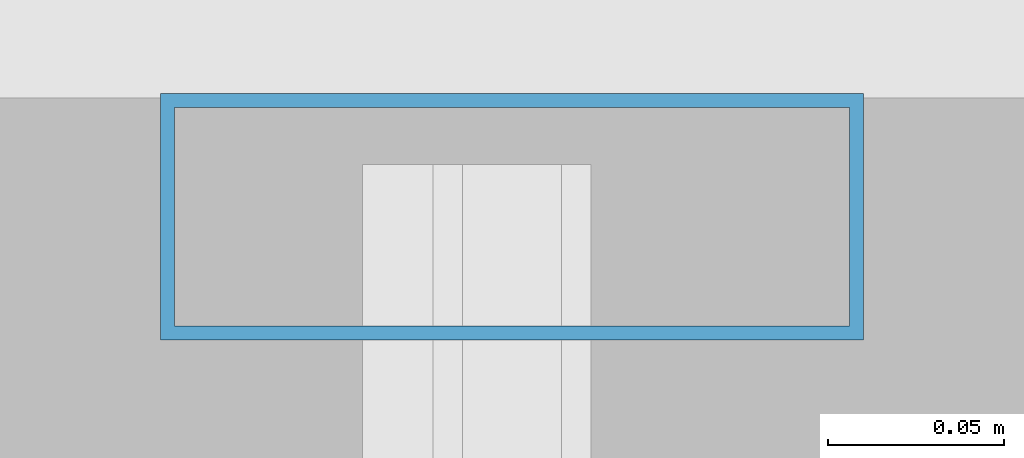
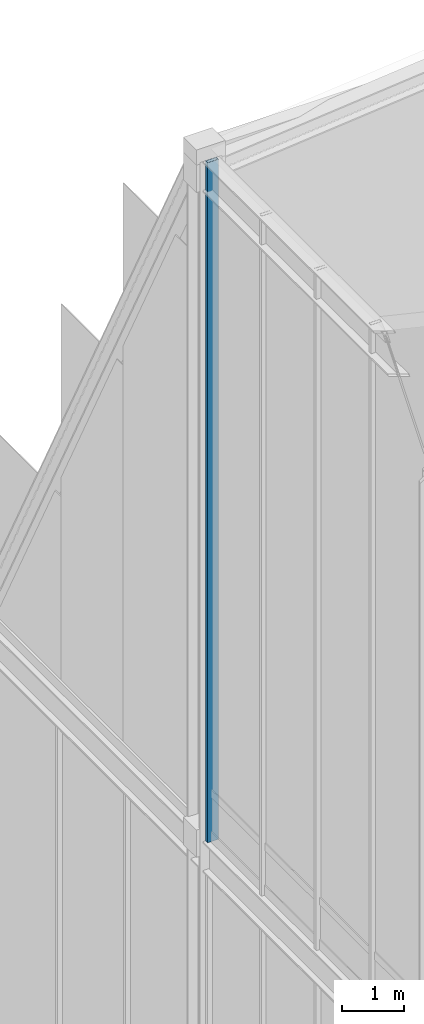
# One storey, part 20 of 49: 1 member, 1 element without a shape of its own.
"""IFC4 building model written with IfcOpenShell, lengths in metres."""

from ifc_helpers import new_model, si_unit, direction, frame, origin, origin_2d, place, context, subcontext, project, spatial, hollow_rectangle, extrude, source, transform, mapped, material, layer, layer_set, material_profile, profile_set, type_object, element, aggregate, save


model = new_model("IFC4")

# Units and contexts
model_context = context("Model", 3, precision=1e-05, world=origin(), true_north=direction((0.0, 1.0)))
body_context = subcontext(model_context, "Body", "Model", "MODEL_VIEW")
ifc_project = project(units=[si_unit("LENGTHUNIT", "METRE"), si_unit("AREAUNIT", "SQUARE_METRE"), si_unit("VOLUMEUNIT", "CUBIC_METRE"), si_unit("PLANEANGLEUNIT", "RADIAN"), si_unit("MASSUNIT", "GRAM", prefix="KILO")], contexts=[model_context])

# Site, building, storey
site_placement = place(None, origin())
site = spatial("IfcSite", under=ifc_project, at=site_placement, CompositionType="ELEMENT")
building_placement = place(site_placement, origin())
building = spatial("IfcBuilding", under=site, at=building_placement, Name="Kaliganga Portal Commons", CompositionType="ELEMENT")
storey_placement = place(building_placement, frame((0.0, 0.0, 298.0)))
storey = spatial("IfcBuildingStorey", under=building, at=storey_placement, Name="L77", CompositionType="ELEMENT", Elevation=298.0)

# Curtain wall, member
ifc_material_1 = material(Name="Anodized Aluminium and Laminated Low-E Glass", Category="aluminium")
ifc_layer = layer(ifc_material_1, 0.25)
ifc_layer_set = layer_set([ifc_layer], Name="Anodized Aluminium and Laminated Low-E Glass")
curtain_wall_type = type_object("IfcCurtainWallType", Name="CW-SYS-06", PredefinedType="NOTDEFINED", material=ifc_layer_set)
curtain_wall_placement = place(storey_placement, origin())
curtain_wall = element("IfcCurtainWall", 1, at=curtain_wall_placement, inside=storey, type_object=curtain_wall_type, Name="CW 06 L77 WU", PredefinedType="NOTDEFINED")
ifc_material_2 = material(Name="Dark Bronze Anodized Aluminium", Category="aluminium")
ifc_material_profile = material_profile(ifc_material_2, hollow_rectangle(XDim=0.070068359375, YDim=0.199951171875, WallThickness=0.00390625, at=origin_2d()), Name="ALU MULL 70x200x4")
ifc_profile_set = profile_set([ifc_material_profile], Name="Dark Bronze Anodized Aluminium")
member_type = type_object("IfcMemberType", Name="CW-MUL-220", PredefinedType="MULLION", material=ifc_profile_set)
shared_shape = source(origin(), body_context, "Body", "SweptSolid", [
    extrude(hollow_rectangle(XDim=0.070068359375, YDim=0.199951171875, WallThickness=0.00390625, at=origin_2d()), origin(), (0.0, 0.0, 1.0), 13.409912109375),
])
member_placement = place(storey_placement, frame((14.39990234375, 35.905029296875, 21.0), z_axis=(0.0, 0.0, 1.0), x_axis=(0.0, 1.0, 0.0)))
member = element("IfcMember", 2, at=member_placement, type_object=member_type, Name="CW:06:L77:WU Mullion 04", PredefinedType="MULLION", context=body_context, shape_type="MappedRepresentation", body=[
    mapped(shared_shape, transform((0.0, 0.0, 0.0), x_axis=(1.0, 0.0, 0.0), y_axis=(0.0, 1.0, 0.0), z_axis=(0.0, 0.0, 1.0), scale=1.0)),
])
aggregate(curtain_wall, [member])

save(model, "model.ifc")
